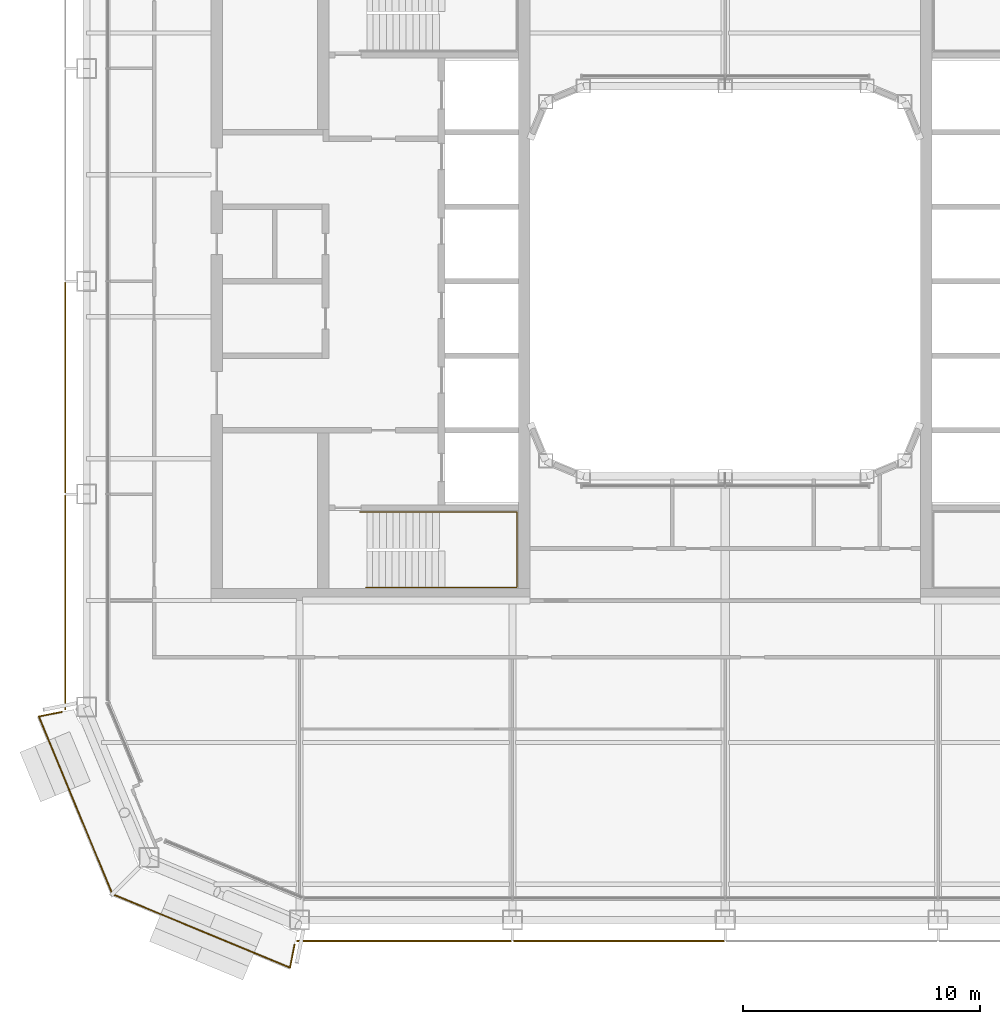
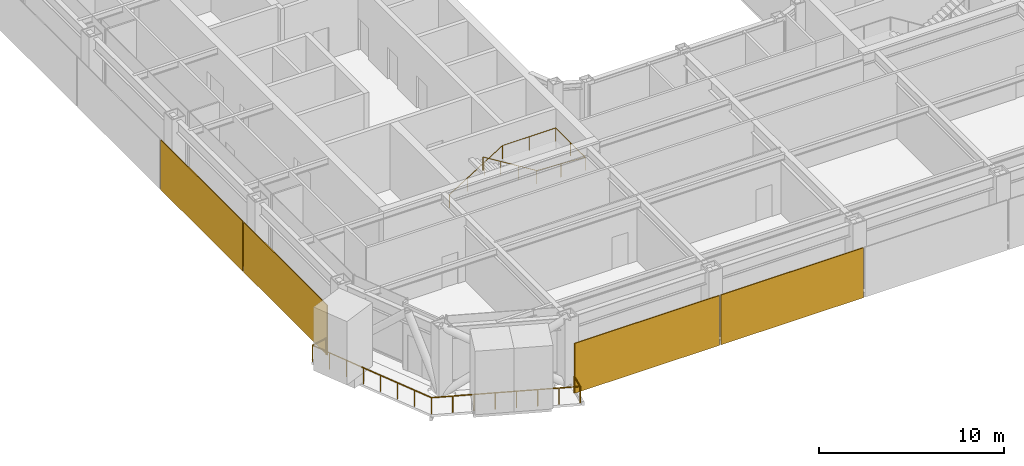
# One storey, part 20 of 24: 4 coverings, 2 railings.
"""IFC4 building model written with IfcOpenShell, lengths in metres."""

from ifc_helpers import new_model, si_unit, direction, frame, origin, origin_2d, place, context, subcontext, project, spatial, rectangle, circle, extrude, material, layer, layer_set, type_object, element, save


model = new_model("IFC4")

# Units and contexts
model_context = context("Model", 3, precision=1e-05, world=origin(), true_north=direction((0.0, 1.0)))
body_context = subcontext(model_context, "Body", "Model", "MODEL_VIEW")
ifc_project = project(units=[si_unit("LENGTHUNIT", "METRE"), si_unit("AREAUNIT", "SQUARE_METRE"), si_unit("VOLUMEUNIT", "CUBIC_METRE"), si_unit("PLANEANGLEUNIT", "RADIAN"), si_unit("MASSUNIT", "GRAM", prefix="KILO")], contexts=[model_context])

# Site, building, storey
site_placement = place(None, origin())
site = spatial("IfcSite", under=ifc_project, at=site_placement, CompositionType="ELEMENT")
building_placement = place(site_placement, origin())
building = spatial("IfcBuilding", under=site, at=building_placement, Name="Siwar Civic Tower", CompositionType="ELEMENT")
storey_placement = place(building_placement, frame((0.0, 0.0, 215.199951171875)))
storey = spatial("IfcBuildingStorey", under=building, at=storey_placement, Name="L46", CompositionType="ELEMENT", Elevation=215.199951171875)

# Railings
ifc_material_1 = material(Name="Stainless steel", Category="steel")
railing_type_1 = type_object("IfcRailingType", Name="CORE-STAIR-HANDRAIL", PredefinedType="HANDRAIL", material=ifc_material_1)
railing_1_placement = place(storey_placement, frame((-15.449951171875, -9.758056640625, 0.173095703125)))
element("IfcRailing", 1, at=railing_1_placement, inside=storey, type_object=railing_type_1, Name="Stair handrail ST2", PredefinedType="HANDRAIL", context=body_context, shape_type="SweptSolid", body=[
    extrude(circle(Radius=0.02001953125, at=origin_2d()), frame((0.0, 0.0, 0.8798828125), z_axis=(0.847063342986, 0.0, 0.531491950051), x_axis=(0.0, 1.0, 0.0)), (0.0, 0.0, 1.0), 3.90771484375),
    extrude(circle(Radius=0.02001953125, at=origin_2d()), frame((3.31005859375, 0.0, 2.956787109375), z_axis=(1.0, 0.0, 0.0), x_axis=(0.0, 1.0, 0.0)), (0.0, 0.0, 1.0), 3.331787109375),
    extrude(circle(Radius=0.02001953125, at=origin_2d()), frame((6.641845703125, 0.0, 2.956787109375), z_axis=(0.0, -1.0, 0.0), x_axis=(1.0, 0.0, 0.0)), (0.0, 0.0, 1.0), 3.183837890625),
    extrude(circle(Radius=0.02001953125, at=origin_2d()), frame((6.641845703125, -3.183837890625, 2.956787109375), z_axis=(-0.99837434197, 0.0, 0.056997134106), x_axis=(0.0, -1.0, 0.0)), (0.0, 0.0, 1.0), 3.036865234375),
    extrude(circle(Radius=0.02001953125, at=origin_2d()), frame((3.60986328125, -3.183837890625, 3.1298828125), z_axis=(-0.850606129759, 0.0, 0.525803396734), x_axis=(0.0, -1.0, 0.0)), (0.0, 0.0, 1.0), 3.949951171875),
    extrude(circle(Radius=0.02001953125, at=origin_2d()), origin(), (0.0, 0.0, 1.0), 0.85986328125),
    extrude(circle(Radius=0.02001953125, at=origin_2d()), frame((1.103271484375, 0.0, 0.6923828125)), (0.0, 0.0, 1.0), 0.85986328125),
    extrude(circle(Radius=0.02001953125, at=origin_2d()), frame((2.206787109375, 0.0, 1.384521484375)), (0.0, 0.0, 1.0), 0.85986328125),
    extrude(circle(Radius=0.02001953125, at=origin_2d()), frame((3.31005859375, 0.0, 2.076904296875)), (0.0, 0.0, 1.0), 0.85986328125),
    extrude(circle(Radius=0.02001953125, at=origin_2d()), frame((4.97607421875, 0.0, 2.076904296875)), (0.0, 0.0, 1.0), 0.85986328125),
    extrude(circle(Radius=0.02001953125, at=origin_2d()), frame((6.641845703125, 0.0, 2.076904296875)), (0.0, 0.0, 1.0), 0.85986328125),
    extrude(circle(Radius=0.02001953125, at=origin_2d()), frame((6.641845703125, -1.591796875, 2.076904296875)), (0.0, 0.0, 1.0), 0.85986328125),
    extrude(circle(Radius=0.02001953125, at=origin_2d()), frame((6.641845703125, -3.183837890625, 2.076904296875)), (0.0, 0.0, 1.0), 0.85986328125),
    extrude(circle(Radius=0.02001953125, at=origin_2d()), frame((5.1259765625, -3.183837890625, 2.16357421875)), (0.0, 0.0, 1.0), 0.85986328125),
    extrude(circle(Radius=0.02001953125, at=origin_2d()), frame((3.60986328125, -3.183837890625, 2.25)), (0.0, 0.0, 1.0), 0.85986328125),
    extrude(circle(Radius=0.02001953125, at=origin_2d()), frame((2.489990234375, -3.183837890625, 2.9423828125)), (0.0, 0.0, 1.0), 0.85986328125),
    extrude(circle(Radius=0.02001953125, at=origin_2d()), frame((1.369873046875, -3.183837890625, 3.634521484375)), (0.0, 0.0, 1.0), 0.85986328125),
    extrude(circle(Radius=0.02001953125, at=origin_2d()), frame((0.25, -3.183837890625, 4.326904296875)), (0.0, 0.0, 1.0), 0.85986328125),
])
ifc_material_2 = material(Name="Stainless steel 316", Category="steel")
railing_type_2 = type_object("IfcRailingType", Name="ENV-GUARD", PredefinedType="GUARDRAIL", material=ifc_material_2)
railing_2_placement = place(storey_placement, frame((-28.047119140625, -18.208251953125, 0.0)))
element("IfcRailing", 2, at=railing_2_placement, inside=storey, type_object=railing_type_2, Name="Balcony guard SW", PredefinedType="GUARDRAIL", context=body_context, shape_type="SweptSolid", body=[
    extrude(circle(Radius=0.02392578125, at=origin_2d()), frame((0.0, 0.0, 1.076171875), z_axis=(-0.980778661911, -0.195123592472, 0.0), x_axis=(0.195123592472, -0.980778661911, 0.0)), (0.0, 0.0, 1.0), 0.993408203125),
    extrude(circle(Radius=0.02392578125, at=origin_2d()), frame((-0.974365234375, -0.19384765625, 1.076171875), z_axis=(0.382176720888, -0.924089256518, 0.0), x_axis=(0.924089256518, 0.382176720888, 0.0)), (0.0, 0.0, 1.0), 8.129638671875),
    extrude(circle(Radius=0.02392578125, at=origin_2d()), frame((2.132568359375, -7.706298828125, 1.076171875), z_axis=(0.924089256518, -0.382176720888, 0.0), x_axis=(0.382176720888, 0.924089256518, 0.0)), (0.0, 0.0, 1.0), 8.129638671875),
    extrude(circle(Radius=0.02392578125, at=origin_2d()), frame((9.64501953125, -10.813232421875, 1.076171875), z_axis=(0.195123592472, 0.980778661911, 0.0), x_axis=(-0.980778661911, 0.195123592472, 0.0)), (0.0, 0.0, 1.0), 0.993408203125),
    extrude(circle(Radius=0.02099609375, at=origin_2d()), origin(), (0.0, 0.0, 1.0), 1.052001953125),
    extrude(circle(Radius=0.02099609375, at=origin_2d()), frame((-0.974365234375, -0.19384765625, 0.0)), (0.0, 0.0, 1.0), 1.052001953125),
    extrude(circle(Radius=0.02099609375, at=origin_2d()), frame((-0.530517578125, -1.26708984375, 0.0)), (0.0, 0.0, 1.0), 1.052001953125),
    extrude(circle(Radius=0.02099609375, at=origin_2d()), frame((-0.086669921875, -2.34033203125, 0.0)), (0.0, 0.0, 1.0), 1.052001953125),
    extrude(circle(Radius=0.02099609375, at=origin_2d()), frame((0.357177734375, -3.41357421875, 0.0)), (0.0, 0.0, 1.0), 1.052001953125),
    extrude(circle(Radius=0.02099609375, at=origin_2d()), frame((0.801025390625, -4.486572265625, 0.0)), (0.0, 0.0, 1.0), 1.052001953125),
    extrude(circle(Radius=0.02099609375, at=origin_2d()), frame((1.244873046875, -5.559814453125, 0.0)), (0.0, 0.0, 1.0), 1.052001953125),
    extrude(circle(Radius=0.02099609375, at=origin_2d()), frame((1.688720703125, -6.633056640625, 0.0)), (0.0, 0.0, 1.0), 1.052001953125),
    extrude(circle(Radius=0.02099609375, at=origin_2d()), frame((2.132568359375, -7.706298828125, 0.0)), (0.0, 0.0, 1.0), 1.052001953125),
    extrude(circle(Radius=0.02099609375, at=origin_2d()), frame((3.205810546875, -8.150146484375, 0.0)), (0.0, 0.0, 1.0), 1.052001953125),
    extrude(circle(Radius=0.02099609375, at=origin_2d()), frame((4.279052734375, -8.593994140625, 0.0)), (0.0, 0.0, 1.0), 1.052001953125),
    extrude(circle(Radius=0.02099609375, at=origin_2d()), frame((5.352294921875, -9.037841796875, 0.0)), (0.0, 0.0, 1.0), 1.052001953125),
    extrude(circle(Radius=0.02099609375, at=origin_2d()), frame((6.42529296875, -9.481689453125, 0.0)), (0.0, 0.0, 1.0), 1.052001953125),
    extrude(circle(Radius=0.02099609375, at=origin_2d()), frame((7.49853515625, -9.925537109375, 0.0)), (0.0, 0.0, 1.0), 1.052001953125),
    extrude(circle(Radius=0.02099609375, at=origin_2d()), frame((8.57177734375, -10.369384765625, 0.0)), (0.0, 0.0, 1.0), 1.052001953125),
    extrude(circle(Radius=0.02099609375, at=origin_2d()), frame((9.64501953125, -10.813232421875, 0.0)), (0.0, 0.0, 1.0), 1.052001953125),
    extrude(circle(Radius=0.02099609375, at=origin_2d()), frame((9.8388671875, -9.8388671875, 0.0)), (0.0, 0.0, 1.0), 1.052001953125),
])

# Coverings
ifc_material_3 = material(Name="Perforated aluminium cassette, pale metal", Category="aluminium")
ifc_layer_1 = layer(ifc_material_3, 0.050048828125)
ifc_layer_set_1 = layer_set([ifc_layer_1], Name="Perforated aluminium cassette, pale metal")
covering_type_1 = type_object("IfcCoveringType", Name="ENV-OUTER SKIN OS-3", PredefinedType="CLADDING", material=ifc_layer_set_1)
covering_1_placement = place(storey_placement, frame((-27.89990234375, -4.5, -0.14990234375), z_axis=(0.0, 0.0, 1.0), x_axis=(0.0, -1.0, 0.0)))
element("IfcCovering", 3, at=covering_1_placement, inside=storey, type_object=covering_type_1, Name="OUTER SKIN OS-3 W 3", PredefinedType="CLADDING", context=body_context, shape_type="SweptSolid", body=[
    extrude(rectangle(XDim=8.89990234375, YDim=0.050048828125, at=origin_2d()), origin(), (0.0, 0.0, 1.0), 3.300048828125),
])
covering_2_placement = place(storey_placement, frame((-27.89990234375, -13.57958984375, -0.14990234375), z_axis=(0.0, 0.0, 1.0), x_axis=(0.0, -1.0, 0.0)))
element("IfcCovering", 4, at=covering_2_placement, inside=storey, type_object=covering_type_1, Name="OUTER SKIN OS-3 W 4", PredefinedType="CLADDING", context=body_context, shape_type="SweptSolid", body=[
    extrude(rectangle(XDim=9.05908203125, YDim=0.050048828125, at=origin_2d()), origin(), (0.0, 0.0, 1.0), 3.300048828125),
])
ifc_material_4 = material(Name="Perforated aluminium cassette, pale metal", Category="aluminium")
ifc_layer_2 = layer(ifc_material_4, 0.054931640625)
ifc_layer_set_2 = layer_set([ifc_layer_2], Name="Perforated aluminium cassette, pale metal")
covering_type_2 = type_object("IfcCoveringType", Name="ENV-OUTER SKIN OS-4", PredefinedType="CLADDING", material=ifc_layer_set_2)
covering_3_placement = place(storey_placement, frame((-13.57958984375, -27.89990234375, -0.14990234375), z_axis=(0.0, 0.0, 1.0), x_axis=(1.0, 0.0, 0.0)))
element("IfcCovering", 5, at=covering_3_placement, inside=storey, type_object=covering_type_2, Name="OUTER SKIN OS-4 S 1", PredefinedType="CLADDING", context=body_context, shape_type="SweptSolid", body=[
    extrude(rectangle(XDim=9.05908203125, YDim=0.054931640625, at=origin_2d()), origin(), (0.0, 0.0, 1.0), 3.300048828125),
])
covering_4_placement = place(storey_placement, frame((-4.5, -27.89990234375, -0.14990234375), z_axis=(0.0, 0.0, 1.0), x_axis=(1.0, 0.0, 0.0)))
element("IfcCovering", 6, at=covering_4_placement, inside=storey, type_object=covering_type_2, Name="OUTER SKIN OS-4 S 2", PredefinedType="CLADDING", context=body_context, shape_type="SweptSolid", body=[
    extrude(rectangle(XDim=8.89990234375, YDim=0.054931640625, at=origin_2d()), origin(), (0.0, 0.0, 1.0), 3.300048828125),
])

save(model, "model.ifc")
